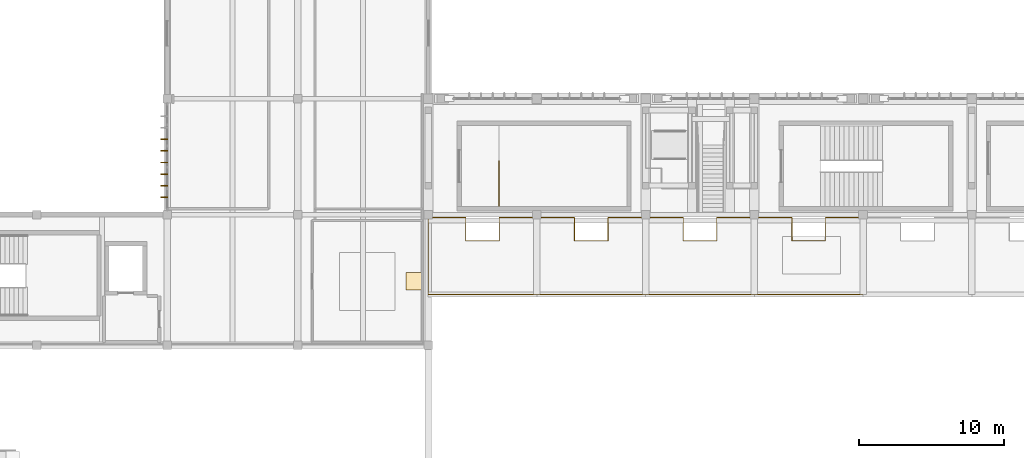
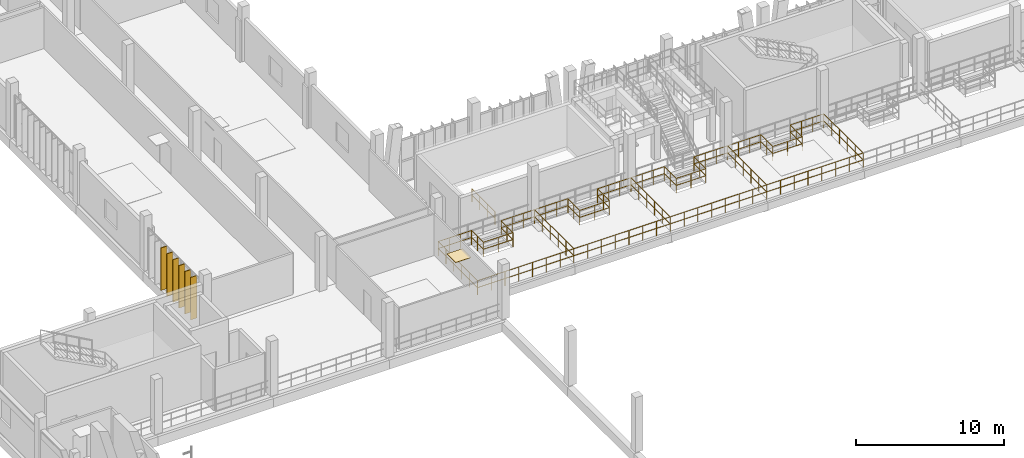
# One storey, part 67 of 81: 6 shading devices, 5 railings, 1 covering.
"""IFC4 building model written with IfcOpenShell, lengths in metres."""

from ifc_helpers import new_model, si_unit, direction, frame, origin, origin_2d, place, context, subcontext, project, spatial, rectangle, circle, extrude, material, layer, layer_set, material_profile, profile_set, type_object, element, save


model = new_model("IFC4")

# Units and contexts
model_context = context("Model", 3, precision=1e-05, world=origin(), true_north=direction((0.0, 1.0)))
body_context = subcontext(model_context, "Body", "Model", "MODEL_VIEW")
ifc_project = project(units=[si_unit("LENGTHUNIT", "METRE"), si_unit("AREAUNIT", "SQUARE_METRE"), si_unit("VOLUMEUNIT", "CUBIC_METRE"), si_unit("PLANEANGLEUNIT", "RADIAN"), si_unit("MASSUNIT", "GRAM", prefix="KILO")], contexts=[model_context])

# Site, building, storey
site_placement = place(None, origin())
site = spatial("IfcSite", under=ifc_project, at=site_placement, CompositionType="ELEMENT")
building_placement = place(site_placement, origin())
building = spatial("IfcBuilding", under=site, at=building_placement, Name="Vourika Railside Aquatics Centre", CompositionType="ELEMENT")
storey_placement = place(building_placement, frame((0.0, 0.0, 4.800048828125)))
storey = spatial("IfcBuildingStorey", under=building, at=storey_placement, Name="L01", CompositionType="ELEMENT", Elevation=4.800048828125)

# Covering
ifc_material_1 = material(Name="Perforated moisture-resistant acoustic gypsum ceiling")
ifc_layer = layer(ifc_material_1, 0.02490234375, Name="COV-CEIL-25")
ifc_layer_set = layer_set([ifc_layer], Name="Perforated moisture-resistant acoustic gypsum ceiling")
covering_type = type_object("IfcCoveringType", Name="COV-CEIL-25", PredefinedType="CEILING", material=ifc_layer_set)
covering_placement = place(storey_placement, frame((35.080078125, 53.39990234375, 2.637451171875), z_axis=(0.0, 0.0, 1.0), x_axis=(1.0, 0.0, 0.0)))
element("IfcCovering", 1, at=covering_placement, inside=storey, type_object=covering_type, Name="Diving Judges and Coaching Observation Deck Acoustic Ceiling Panel", PredefinedType="CEILING", context=body_context, shape_type="SweptSolid", body=[
    extrude(rectangle(XDim=1.199951171875, YDim=1.199951171875, at=origin_2d()), origin(), (0.0, 0.0, 1.0), 0.02490234375),
])

# Railings
ifc_material_2 = material(Name="Duplex stainless steel EN 1.4462", Category="steel")
railing_type_1 = type_object("IfcRailingType", Name="RL-BAL-STD120", PredefinedType="BALUSTRADE", material=ifc_material_2)
railing_1_placement = place(storey_placement, frame((43.5, 57.800048828125, -0.35009765625)))
element("IfcRailing", 2, at=railing_1_placement, inside=storey, type_object=railing_type_1, Name="Spectator Stand Crowd Barrier (Stand Lower Tier Bay 01)", PredefinedType="BALUSTRADE", context=body_context, shape_type="SweptSolid", body=[
    extrude(circle(Radius=0.02392578125, at=origin_2d()), frame((0.0, 0.0, 1.17578125), z_axis=(0.0, -1.0, 0.0), x_axis=(1.0, 0.0, 0.0)), (0.0, 0.0, 1.0), 5.300048828125),
    extrude(circle(Radius=0.02392578125, at=origin_2d()), frame((0.0, 0.0, 0.60009765625), z_axis=(0.0, -1.0, 0.0), x_axis=(1.0, 0.0, 0.0)), (0.0, 0.0, 1.0), 5.300048828125),
    extrude(circle(Radius=0.02392578125, at=origin_2d()), frame((0.0, -5.300048828125, 1.17578125), z_axis=(-1.0, 0.0, 0.0), x_axis=(0.0, -1.0, 0.0)), (0.0, 0.0, 1.0), 7.5),
    extrude(circle(Radius=0.02392578125, at=origin_2d()), frame((0.0, -5.300048828125, 0.60009765625), z_axis=(-1.0, 0.0, 0.0), x_axis=(0.0, -1.0, 0.0)), (0.0, 0.0, 1.0), 7.5),
    extrude(circle(Radius=0.02392578125, at=origin_2d()), frame((-7.5, -5.300048828125, 1.17578125), z_axis=(0.0, 1.0, 0.0), x_axis=(-1.0, 0.0, 0.0)), (0.0, 0.0, 1.0), 5.300048828125),
    extrude(circle(Radius=0.02392578125, at=origin_2d()), frame((-7.5, -5.300048828125, 0.60009765625), z_axis=(0.0, 1.0, 0.0), x_axis=(-1.0, 0.0, 0.0)), (0.0, 0.0, 1.0), 5.300048828125),
    extrude(circle(Radius=0.02392578125, at=origin_2d()), frame((-7.5, 0.0, 1.17578125), z_axis=(1.0, 0.0, 0.0), x_axis=(0.0, 1.0, 0.0)), (0.0, 0.0, 1.0), 2.60009765625),
    extrude(circle(Radius=0.02392578125, at=origin_2d()), frame((-7.5, 0.0, 0.60009765625), z_axis=(1.0, 0.0, 0.0), x_axis=(0.0, 1.0, 0.0)), (0.0, 0.0, 1.0), 2.60009765625),
    extrude(circle(Radius=0.02392578125, at=origin_2d()), frame((-4.89990234375, 0.0, 1.17578125), z_axis=(0.0, -1.0, 0.0), x_axis=(1.0, 0.0, 0.0)), (0.0, 0.0, 1.0), 1.60009765625),
    extrude(circle(Radius=0.02392578125, at=origin_2d()), frame((-4.89990234375, 0.0, 0.60009765625), z_axis=(0.0, -1.0, 0.0), x_axis=(1.0, 0.0, 0.0)), (0.0, 0.0, 1.0), 1.60009765625),
    extrude(circle(Radius=0.02392578125, at=origin_2d()), frame((-4.89990234375, -1.60009765625, 1.17578125), z_axis=(1.0, 0.0, 0.0), x_axis=(0.0, 1.0, 0.0)), (0.0, 0.0, 1.0), 2.2998046875),
    extrude(circle(Radius=0.02392578125, at=origin_2d()), frame((-4.89990234375, -1.60009765625, 0.60009765625), z_axis=(1.0, 0.0, 0.0), x_axis=(0.0, 1.0, 0.0)), (0.0, 0.0, 1.0), 2.2998046875),
    extrude(circle(Radius=0.02392578125, at=origin_2d()), frame((-2.60009765625, -1.60009765625, 1.17578125), z_axis=(0.0, 1.0, 0.0), x_axis=(-1.0, 0.0, 0.0)), (0.0, 0.0, 1.0), 1.60009765625),
    extrude(circle(Radius=0.02392578125, at=origin_2d()), frame((-2.60009765625, -1.60009765625, 0.60009765625), z_axis=(0.0, 1.0, 0.0), x_axis=(-1.0, 0.0, 0.0)), (0.0, 0.0, 1.0), 1.60009765625),
    extrude(circle(Radius=0.02392578125, at=origin_2d()), frame((-2.60009765625, 0.0, 1.17578125), z_axis=(1.0, 0.0, 0.0), x_axis=(0.0, 1.0, 0.0)), (0.0, 0.0, 1.0), 2.60009765625),
    extrude(circle(Radius=0.02392578125, at=origin_2d()), frame((-2.60009765625, 0.0, 0.60009765625), z_axis=(1.0, 0.0, 0.0), x_axis=(0.0, 1.0, 0.0)), (0.0, 0.0, 1.0), 2.60009765625),
    extrude(circle(Radius=0.02099609375, at=origin_2d()), origin(), (0.0, 0.0, 1.0), 1.15185546875),
    extrude(circle(Radius=0.02099609375, at=origin_2d()), frame((0.0, -1.06005859375, 0.0)), (0.0, 0.0, 1.0), 1.15185546875),
    extrude(circle(Radius=0.02099609375, at=origin_2d()), frame((0.0, -2.1201171875, 0.0)), (0.0, 0.0, 1.0), 1.15185546875),
    extrude(circle(Radius=0.02099609375, at=origin_2d()), frame((0.0, -3.179931640625, 0.0)), (0.0, 0.0, 1.0), 1.15185546875),
    extrude(circle(Radius=0.02099609375, at=origin_2d()), frame((0.0, -4.239990234375, 0.0)), (0.0, 0.0, 1.0), 1.15185546875),
    extrude(circle(Radius=0.02099609375, at=origin_2d()), frame((0.0, -5.300048828125, 0.0)), (0.0, 0.0, 1.0), 1.15185546875),
    extrude(circle(Radius=0.02099609375, at=origin_2d()), frame((-1.071533203125, -5.300048828125, 0.0)), (0.0, 0.0, 1.0), 1.15185546875),
    extrude(circle(Radius=0.02099609375, at=origin_2d()), frame((-2.142822265625, -5.300048828125, 0.0)), (0.0, 0.0, 1.0), 1.15185546875),
    extrude(circle(Radius=0.02099609375, at=origin_2d()), frame((-3.21435546875, -5.300048828125, 0.0)), (0.0, 0.0, 1.0), 1.15185546875),
    extrude(circle(Radius=0.02099609375, at=origin_2d()), frame((-4.28564453125, -5.300048828125, 0.0)), (0.0, 0.0, 1.0), 1.15185546875),
    extrude(circle(Radius=0.02099609375, at=origin_2d()), frame((-5.357177734375, -5.300048828125, 0.0)), (0.0, 0.0, 1.0), 1.15185546875),
    extrude(circle(Radius=0.02099609375, at=origin_2d()), frame((-6.428466796875, -5.300048828125, 0.0)), (0.0, 0.0, 1.0), 1.15185546875),
    extrude(circle(Radius=0.02099609375, at=origin_2d()), frame((-7.5, -5.300048828125, 0.0)), (0.0, 0.0, 1.0), 1.15185546875),
    extrude(circle(Radius=0.02099609375, at=origin_2d()), frame((-7.5, -4.239990234375, 0.0)), (0.0, 0.0, 1.0), 1.15185546875),
    extrude(circle(Radius=0.02099609375, at=origin_2d()), frame((-7.5, -3.179931640625, 0.0)), (0.0, 0.0, 1.0), 1.15185546875),
    extrude(circle(Radius=0.02099609375, at=origin_2d()), frame((-7.5, -2.1201171875, 0.0)), (0.0, 0.0, 1.0), 1.15185546875),
    extrude(circle(Radius=0.02099609375, at=origin_2d()), frame((-7.5, -1.06005859375, 0.0)), (0.0, 0.0, 1.0), 1.15185546875),
    extrude(circle(Radius=0.02099609375, at=origin_2d()), frame((-7.5, 0.0, 0.0)), (0.0, 0.0, 1.0), 1.15185546875),
    extrude(circle(Radius=0.02099609375, at=origin_2d()), frame((-6.63330078125, 0.0, 0.0)), (0.0, 0.0, 1.0), 1.15185546875),
    extrude(circle(Radius=0.02099609375, at=origin_2d()), frame((-5.7666015625, 0.0, 0.0)), (0.0, 0.0, 1.0), 1.15185546875),
    extrude(circle(Radius=0.02099609375, at=origin_2d()), frame((-4.89990234375, 0.0, 0.0)), (0.0, 0.0, 1.0), 1.15185546875),
    extrude(circle(Radius=0.02099609375, at=origin_2d()), frame((-4.89990234375, -0.800048828125, 0.0)), (0.0, 0.0, 1.0), 1.15185546875),
    extrude(circle(Radius=0.02099609375, at=origin_2d()), frame((-4.89990234375, -1.60009765625, 0.0)), (0.0, 0.0, 1.0), 1.15185546875),
    extrude(circle(Radius=0.02099609375, at=origin_2d()), frame((-3.75, -1.60009765625, 0.0)), (0.0, 0.0, 1.0), 1.15185546875),
    extrude(circle(Radius=0.02099609375, at=origin_2d()), frame((-2.60009765625, -1.60009765625, 0.0)), (0.0, 0.0, 1.0), 1.15185546875),
    extrude(circle(Radius=0.02099609375, at=origin_2d()), frame((-2.60009765625, -0.800048828125, 0.0)), (0.0, 0.0, 1.0), 1.15185546875),
    extrude(circle(Radius=0.02099609375, at=origin_2d()), frame((-2.60009765625, 0.0, 0.0)), (0.0, 0.0, 1.0), 1.15185546875),
    extrude(circle(Radius=0.02099609375, at=origin_2d()), frame((-1.7333984375, 0.0, 0.0)), (0.0, 0.0, 1.0), 1.15185546875),
    extrude(circle(Radius=0.02099609375, at=origin_2d()), frame((-0.86669921875, 0.0, 0.0)), (0.0, 0.0, 1.0), 1.15185546875),
])
railing_2_placement = place(storey_placement, frame((51.0, 57.800048828125, -0.35009765625)))
element("IfcRailing", 3, at=railing_2_placement, inside=storey, type_object=railing_type_1, Name="Spectator Stand Crowd Barrier (Stand Lower Tier Bay 02)", PredefinedType="BALUSTRADE", context=body_context, shape_type="SweptSolid", body=[
    extrude(circle(Radius=0.02392578125, at=origin_2d()), frame((0.0, 0.0, 1.17578125), z_axis=(0.0, -1.0, 0.0), x_axis=(1.0, 0.0, 0.0)), (0.0, 0.0, 1.0), 5.300048828125),
    extrude(circle(Radius=0.02392578125, at=origin_2d()), frame((0.0, 0.0, 0.60009765625), z_axis=(0.0, -1.0, 0.0), x_axis=(1.0, 0.0, 0.0)), (0.0, 0.0, 1.0), 5.300048828125),
    extrude(circle(Radius=0.02392578125, at=origin_2d()), frame((0.0, -5.300048828125, 1.17578125), z_axis=(-1.0, 0.0, 0.0), x_axis=(0.0, -1.0, 0.0)), (0.0, 0.0, 1.0), 7.5),
    extrude(circle(Radius=0.02392578125, at=origin_2d()), frame((0.0, -5.300048828125, 0.60009765625), z_axis=(-1.0, 0.0, 0.0), x_axis=(0.0, -1.0, 0.0)), (0.0, 0.0, 1.0), 7.5),
    extrude(circle(Radius=0.02392578125, at=origin_2d()), frame((-7.5, -5.300048828125, 1.17578125), z_axis=(0.0, 1.0, 0.0), x_axis=(-1.0, 0.0, 0.0)), (0.0, 0.0, 1.0), 5.300048828125),
    extrude(circle(Radius=0.02392578125, at=origin_2d()), frame((-7.5, -5.300048828125, 0.60009765625), z_axis=(0.0, 1.0, 0.0), x_axis=(-1.0, 0.0, 0.0)), (0.0, 0.0, 1.0), 5.300048828125),
    extrude(circle(Radius=0.02392578125, at=origin_2d()), frame((-7.5, 0.0, 1.17578125), z_axis=(1.0, 0.0, 0.0), x_axis=(0.0, 1.0, 0.0)), (0.0, 0.0, 1.0), 2.60009765625),
    extrude(circle(Radius=0.02392578125, at=origin_2d()), frame((-7.5, 0.0, 0.60009765625), z_axis=(1.0, 0.0, 0.0), x_axis=(0.0, 1.0, 0.0)), (0.0, 0.0, 1.0), 2.60009765625),
    extrude(circle(Radius=0.02392578125, at=origin_2d()), frame((-4.89990234375, 0.0, 1.17578125), z_axis=(0.0, -1.0, 0.0), x_axis=(1.0, 0.0, 0.0)), (0.0, 0.0, 1.0), 1.60009765625),
    extrude(circle(Radius=0.02392578125, at=origin_2d()), frame((-4.89990234375, 0.0, 0.60009765625), z_axis=(0.0, -1.0, 0.0), x_axis=(1.0, 0.0, 0.0)), (0.0, 0.0, 1.0), 1.60009765625),
    extrude(circle(Radius=0.02392578125, at=origin_2d()), frame((-4.89990234375, -1.60009765625, 1.17578125), z_axis=(1.0, 0.0, 0.0), x_axis=(0.0, 1.0, 0.0)), (0.0, 0.0, 1.0), 2.2998046875),
    extrude(circle(Radius=0.02392578125, at=origin_2d()), frame((-4.89990234375, -1.60009765625, 0.60009765625), z_axis=(1.0, 0.0, 0.0), x_axis=(0.0, 1.0, 0.0)), (0.0, 0.0, 1.0), 2.2998046875),
    extrude(circle(Radius=0.02392578125, at=origin_2d()), frame((-2.60009765625, -1.60009765625, 1.17578125), z_axis=(0.0, 1.0, 0.0), x_axis=(-1.0, 0.0, 0.0)), (0.0, 0.0, 1.0), 1.60009765625),
    extrude(circle(Radius=0.02392578125, at=origin_2d()), frame((-2.60009765625, -1.60009765625, 0.60009765625), z_axis=(0.0, 1.0, 0.0), x_axis=(-1.0, 0.0, 0.0)), (0.0, 0.0, 1.0), 1.60009765625),
    extrude(circle(Radius=0.02392578125, at=origin_2d()), frame((-2.60009765625, 0.0, 1.17578125), z_axis=(1.0, 0.0, 0.0), x_axis=(0.0, 1.0, 0.0)), (0.0, 0.0, 1.0), 2.60009765625),
    extrude(circle(Radius=0.02392578125, at=origin_2d()), frame((-2.60009765625, 0.0, 0.60009765625), z_axis=(1.0, 0.0, 0.0), x_axis=(0.0, 1.0, 0.0)), (0.0, 0.0, 1.0), 2.60009765625),
    extrude(circle(Radius=0.02099609375, at=origin_2d()), origin(), (0.0, 0.0, 1.0), 1.15185546875),
    extrude(circle(Radius=0.02099609375, at=origin_2d()), frame((0.0, -1.06005859375, 0.0)), (0.0, 0.0, 1.0), 1.15185546875),
    extrude(circle(Radius=0.02099609375, at=origin_2d()), frame((0.0, -2.1201171875, 0.0)), (0.0, 0.0, 1.0), 1.15185546875),
    extrude(circle(Radius=0.02099609375, at=origin_2d()), frame((0.0, -3.179931640625, 0.0)), (0.0, 0.0, 1.0), 1.15185546875),
    extrude(circle(Radius=0.02099609375, at=origin_2d()), frame((0.0, -4.239990234375, 0.0)), (0.0, 0.0, 1.0), 1.15185546875),
    extrude(circle(Radius=0.02099609375, at=origin_2d()), frame((0.0, -5.300048828125, 0.0)), (0.0, 0.0, 1.0), 1.15185546875),
    extrude(circle(Radius=0.02099609375, at=origin_2d()), frame((-1.071533203125, -5.300048828125, 0.0)), (0.0, 0.0, 1.0), 1.15185546875),
    extrude(circle(Radius=0.02099609375, at=origin_2d()), frame((-2.142822265625, -5.300048828125, 0.0)), (0.0, 0.0, 1.0), 1.15185546875),
    extrude(circle(Radius=0.02099609375, at=origin_2d()), frame((-3.21435546875, -5.300048828125, 0.0)), (0.0, 0.0, 1.0), 1.15185546875),
    extrude(circle(Radius=0.02099609375, at=origin_2d()), frame((-4.28564453125, -5.300048828125, 0.0)), (0.0, 0.0, 1.0), 1.15185546875),
    extrude(circle(Radius=0.02099609375, at=origin_2d()), frame((-5.357177734375, -5.300048828125, 0.0)), (0.0, 0.0, 1.0), 1.15185546875),
    extrude(circle(Radius=0.02099609375, at=origin_2d()), frame((-6.428466796875, -5.300048828125, 0.0)), (0.0, 0.0, 1.0), 1.15185546875),
    extrude(circle(Radius=0.02099609375, at=origin_2d()), frame((-7.5, -5.300048828125, 0.0)), (0.0, 0.0, 1.0), 1.15185546875),
    extrude(circle(Radius=0.02099609375, at=origin_2d()), frame((-7.5, -4.239990234375, 0.0)), (0.0, 0.0, 1.0), 1.15185546875),
    extrude(circle(Radius=0.02099609375, at=origin_2d()), frame((-7.5, -3.179931640625, 0.0)), (0.0, 0.0, 1.0), 1.15185546875),
    extrude(circle(Radius=0.02099609375, at=origin_2d()), frame((-7.5, -2.1201171875, 0.0)), (0.0, 0.0, 1.0), 1.15185546875),
    extrude(circle(Radius=0.02099609375, at=origin_2d()), frame((-7.5, -1.06005859375, 0.0)), (0.0, 0.0, 1.0), 1.15185546875),
    extrude(circle(Radius=0.02099609375, at=origin_2d()), frame((-7.5, 0.0, 0.0)), (0.0, 0.0, 1.0), 1.15185546875),
    extrude(circle(Radius=0.02099609375, at=origin_2d()), frame((-6.63330078125, 0.0, 0.0)), (0.0, 0.0, 1.0), 1.15185546875),
    extrude(circle(Radius=0.02099609375, at=origin_2d()), frame((-5.7666015625, 0.0, 0.0)), (0.0, 0.0, 1.0), 1.15185546875),
    extrude(circle(Radius=0.02099609375, at=origin_2d()), frame((-4.89990234375, 0.0, 0.0)), (0.0, 0.0, 1.0), 1.15185546875),
    extrude(circle(Radius=0.02099609375, at=origin_2d()), frame((-4.89990234375, -0.800048828125, 0.0)), (0.0, 0.0, 1.0), 1.15185546875),
    extrude(circle(Radius=0.02099609375, at=origin_2d()), frame((-4.89990234375, -1.60009765625, 0.0)), (0.0, 0.0, 1.0), 1.15185546875),
    extrude(circle(Radius=0.02099609375, at=origin_2d()), frame((-3.75, -1.60009765625, 0.0)), (0.0, 0.0, 1.0), 1.15185546875),
    extrude(circle(Radius=0.02099609375, at=origin_2d()), frame((-2.60009765625, -1.60009765625, 0.0)), (0.0, 0.0, 1.0), 1.15185546875),
    extrude(circle(Radius=0.02099609375, at=origin_2d()), frame((-2.60009765625, -0.800048828125, 0.0)), (0.0, 0.0, 1.0), 1.15185546875),
    extrude(circle(Radius=0.02099609375, at=origin_2d()), frame((-2.60009765625, 0.0, 0.0)), (0.0, 0.0, 1.0), 1.15185546875),
    extrude(circle(Radius=0.02099609375, at=origin_2d()), frame((-1.7333984375, 0.0, 0.0)), (0.0, 0.0, 1.0), 1.15185546875),
    extrude(circle(Radius=0.02099609375, at=origin_2d()), frame((-0.86669921875, 0.0, 0.0)), (0.0, 0.0, 1.0), 1.15185546875),
])
railing_3_placement = place(storey_placement, frame((58.5, 57.800048828125, -0.35009765625)))
element("IfcRailing", 4, at=railing_3_placement, inside=storey, type_object=railing_type_1, Name="Spectator Stand Crowd Barrier (Stand Lower Tier Bay 03)", PredefinedType="BALUSTRADE", context=body_context, shape_type="SweptSolid", body=[
    extrude(circle(Radius=0.02392578125, at=origin_2d()), frame((0.0, 0.0, 1.17578125), z_axis=(0.0, -1.0, 0.0), x_axis=(1.0, 0.0, 0.0)), (0.0, 0.0, 1.0), 5.300048828125),
    extrude(circle(Radius=0.02392578125, at=origin_2d()), frame((0.0, 0.0, 0.60009765625), z_axis=(0.0, -1.0, 0.0), x_axis=(1.0, 0.0, 0.0)), (0.0, 0.0, 1.0), 5.300048828125),
    extrude(circle(Radius=0.02392578125, at=origin_2d()), frame((0.0, -5.300048828125, 1.17578125), z_axis=(-1.0, 0.0, 0.0), x_axis=(0.0, -1.0, 0.0)), (0.0, 0.0, 1.0), 7.5),
    extrude(circle(Radius=0.02392578125, at=origin_2d()), frame((0.0, -5.300048828125, 0.60009765625), z_axis=(-1.0, 0.0, 0.0), x_axis=(0.0, -1.0, 0.0)), (0.0, 0.0, 1.0), 7.5),
    extrude(circle(Radius=0.02392578125, at=origin_2d()), frame((-7.5, -5.300048828125, 1.17578125), z_axis=(0.0, 1.0, 0.0), x_axis=(-1.0, 0.0, 0.0)), (0.0, 0.0, 1.0), 5.300048828125),
    extrude(circle(Radius=0.02392578125, at=origin_2d()), frame((-7.5, -5.300048828125, 0.60009765625), z_axis=(0.0, 1.0, 0.0), x_axis=(-1.0, 0.0, 0.0)), (0.0, 0.0, 1.0), 5.300048828125),
    extrude(circle(Radius=0.02392578125, at=origin_2d()), frame((-7.5, 0.0, 1.17578125), z_axis=(1.0, 0.0, 0.0), x_axis=(0.0, 1.0, 0.0)), (0.0, 0.0, 1.0), 2.60009765625),
    extrude(circle(Radius=0.02392578125, at=origin_2d()), frame((-7.5, 0.0, 0.60009765625), z_axis=(1.0, 0.0, 0.0), x_axis=(0.0, 1.0, 0.0)), (0.0, 0.0, 1.0), 2.60009765625),
    extrude(circle(Radius=0.02392578125, at=origin_2d()), frame((-4.89990234375, 0.0, 1.17578125), z_axis=(0.0, -1.0, 0.0), x_axis=(1.0, 0.0, 0.0)), (0.0, 0.0, 1.0), 1.60009765625),
    extrude(circle(Radius=0.02392578125, at=origin_2d()), frame((-4.89990234375, 0.0, 0.60009765625), z_axis=(0.0, -1.0, 0.0), x_axis=(1.0, 0.0, 0.0)), (0.0, 0.0, 1.0), 1.60009765625),
    extrude(circle(Radius=0.02392578125, at=origin_2d()), frame((-4.89990234375, -1.60009765625, 1.17578125), z_axis=(1.0, 0.0, 0.0), x_axis=(0.0, 1.0, 0.0)), (0.0, 0.0, 1.0), 2.2998046875),
    extrude(circle(Radius=0.02392578125, at=origin_2d()), frame((-4.89990234375, -1.60009765625, 0.60009765625), z_axis=(1.0, 0.0, 0.0), x_axis=(0.0, 1.0, 0.0)), (0.0, 0.0, 1.0), 2.2998046875),
    extrude(circle(Radius=0.02392578125, at=origin_2d()), frame((-2.60009765625, -1.60009765625, 1.17578125), z_axis=(0.0, 1.0, 0.0), x_axis=(-1.0, 0.0, 0.0)), (0.0, 0.0, 1.0), 1.60009765625),
    extrude(circle(Radius=0.02392578125, at=origin_2d()), frame((-2.60009765625, -1.60009765625, 0.60009765625), z_axis=(0.0, 1.0, 0.0), x_axis=(-1.0, 0.0, 0.0)), (0.0, 0.0, 1.0), 1.60009765625),
    extrude(circle(Radius=0.02392578125, at=origin_2d()), frame((-2.60009765625, 0.0, 1.17578125), z_axis=(1.0, 0.0, 0.0), x_axis=(0.0, 1.0, 0.0)), (0.0, 0.0, 1.0), 2.60009765625),
    extrude(circle(Radius=0.02392578125, at=origin_2d()), frame((-2.60009765625, 0.0, 0.60009765625), z_axis=(1.0, 0.0, 0.0), x_axis=(0.0, 1.0, 0.0)), (0.0, 0.0, 1.0), 2.60009765625),
    extrude(circle(Radius=0.02099609375, at=origin_2d()), origin(), (0.0, 0.0, 1.0), 1.15185546875),
    extrude(circle(Radius=0.02099609375, at=origin_2d()), frame((0.0, -1.06005859375, 0.0)), (0.0, 0.0, 1.0), 1.15185546875),
    extrude(circle(Radius=0.02099609375, at=origin_2d()), frame((0.0, -2.1201171875, 0.0)), (0.0, 0.0, 1.0), 1.15185546875),
    extrude(circle(Radius=0.02099609375, at=origin_2d()), frame((0.0, -3.179931640625, 0.0)), (0.0, 0.0, 1.0), 1.15185546875),
    extrude(circle(Radius=0.02099609375, at=origin_2d()), frame((0.0, -4.239990234375, 0.0)), (0.0, 0.0, 1.0), 1.15185546875),
    extrude(circle(Radius=0.02099609375, at=origin_2d()), frame((0.0, -5.300048828125, 0.0)), (0.0, 0.0, 1.0), 1.15185546875),
    extrude(circle(Radius=0.02099609375, at=origin_2d()), frame((-1.071533203125, -5.300048828125, 0.0)), (0.0, 0.0, 1.0), 1.15185546875),
    extrude(circle(Radius=0.02099609375, at=origin_2d()), frame((-2.142822265625, -5.300048828125, 0.0)), (0.0, 0.0, 1.0), 1.15185546875),
    extrude(circle(Radius=0.02099609375, at=origin_2d()), frame((-3.21435546875, -5.300048828125, 0.0)), (0.0, 0.0, 1.0), 1.15185546875),
    extrude(circle(Radius=0.02099609375, at=origin_2d()), frame((-4.28564453125, -5.300048828125, 0.0)), (0.0, 0.0, 1.0), 1.15185546875),
    extrude(circle(Radius=0.02099609375, at=origin_2d()), frame((-5.357177734375, -5.300048828125, 0.0)), (0.0, 0.0, 1.0), 1.15185546875),
    extrude(circle(Radius=0.02099609375, at=origin_2d()), frame((-6.428466796875, -5.300048828125, 0.0)), (0.0, 0.0, 1.0), 1.15185546875),
    extrude(circle(Radius=0.02099609375, at=origin_2d()), frame((-7.5, -5.300048828125, 0.0)), (0.0, 0.0, 1.0), 1.15185546875),
    extrude(circle(Radius=0.02099609375, at=origin_2d()), frame((-7.5, -4.239990234375, 0.0)), (0.0, 0.0, 1.0), 1.15185546875),
    extrude(circle(Radius=0.02099609375, at=origin_2d()), frame((-7.5, -3.179931640625, 0.0)), (0.0, 0.0, 1.0), 1.15185546875),
    extrude(circle(Radius=0.02099609375, at=origin_2d()), frame((-7.5, -2.1201171875, 0.0)), (0.0, 0.0, 1.0), 1.15185546875),
    extrude(circle(Radius=0.02099609375, at=origin_2d()), frame((-7.5, -1.06005859375, 0.0)), (0.0, 0.0, 1.0), 1.15185546875),
    extrude(circle(Radius=0.02099609375, at=origin_2d()), frame((-7.5, 0.0, 0.0)), (0.0, 0.0, 1.0), 1.15185546875),
    extrude(circle(Radius=0.02099609375, at=origin_2d()), frame((-6.63330078125, 0.0, 0.0)), (0.0, 0.0, 1.0), 1.15185546875),
    extrude(circle(Radius=0.02099609375, at=origin_2d()), frame((-5.7666015625, 0.0, 0.0)), (0.0, 0.0, 1.0), 1.15185546875),
    extrude(circle(Radius=0.02099609375, at=origin_2d()), frame((-4.89990234375, 0.0, 0.0)), (0.0, 0.0, 1.0), 1.15185546875),
    extrude(circle(Radius=0.02099609375, at=origin_2d()), frame((-4.89990234375, -0.800048828125, 0.0)), (0.0, 0.0, 1.0), 1.15185546875),
    extrude(circle(Radius=0.02099609375, at=origin_2d()), frame((-4.89990234375, -1.60009765625, 0.0)), (0.0, 0.0, 1.0), 1.15185546875),
    extrude(circle(Radius=0.02099609375, at=origin_2d()), frame((-3.75, -1.60009765625, 0.0)), (0.0, 0.0, 1.0), 1.15185546875),
    extrude(circle(Radius=0.02099609375, at=origin_2d()), frame((-2.60009765625, -1.60009765625, 0.0)), (0.0, 0.0, 1.0), 1.15185546875),
    extrude(circle(Radius=0.02099609375, at=origin_2d()), frame((-2.60009765625, -0.800048828125, 0.0)), (0.0, 0.0, 1.0), 1.15185546875),
    extrude(circle(Radius=0.02099609375, at=origin_2d()), frame((-2.60009765625, 0.0, 0.0)), (0.0, 0.0, 1.0), 1.15185546875),
    extrude(circle(Radius=0.02099609375, at=origin_2d()), frame((-1.7333984375, 0.0, 0.0)), (0.0, 0.0, 1.0), 1.15185546875),
    extrude(circle(Radius=0.02099609375, at=origin_2d()), frame((-0.86669921875, 0.0, 0.0)), (0.0, 0.0, 1.0), 1.15185546875),
])
railing_4_placement = place(storey_placement, frame((66.0, 57.800048828125, -0.35009765625)))
element("IfcRailing", 5, at=railing_4_placement, inside=storey, type_object=railing_type_1, Name="Spectator Stand Crowd Barrier (Stand Lower Tier Bay 04)", PredefinedType="BALUSTRADE", context=body_context, shape_type="SweptSolid", body=[
    extrude(circle(Radius=0.02392578125, at=origin_2d()), frame((0.0, 0.0, 1.17578125), z_axis=(0.0, -1.0, 0.0), x_axis=(1.0, 0.0, 0.0)), (0.0, 0.0, 1.0), 5.300048828125),
    extrude(circle(Radius=0.02392578125, at=origin_2d()), frame((0.0, 0.0, 0.60009765625), z_axis=(0.0, -1.0, 0.0), x_axis=(1.0, 0.0, 0.0)), (0.0, 0.0, 1.0), 5.300048828125),
    extrude(circle(Radius=0.02392578125, at=origin_2d()), frame((0.0, -5.300048828125, 1.17578125), z_axis=(-1.0, 0.0, 0.0), x_axis=(0.0, -1.0, 0.0)), (0.0, 0.0, 1.0), 7.5),
    extrude(circle(Radius=0.02392578125, at=origin_2d()), frame((0.0, -5.300048828125, 0.60009765625), z_axis=(-1.0, 0.0, 0.0), x_axis=(0.0, -1.0, 0.0)), (0.0, 0.0, 1.0), 7.5),
    extrude(circle(Radius=0.02392578125, at=origin_2d()), frame((-7.5, -5.300048828125, 1.17578125), z_axis=(0.0, 1.0, 0.0), x_axis=(-1.0, 0.0, 0.0)), (0.0, 0.0, 1.0), 5.300048828125),
    extrude(circle(Radius=0.02392578125, at=origin_2d()), frame((-7.5, -5.300048828125, 0.60009765625), z_axis=(0.0, 1.0, 0.0), x_axis=(-1.0, 0.0, 0.0)), (0.0, 0.0, 1.0), 5.300048828125),
    extrude(circle(Radius=0.02392578125, at=origin_2d()), frame((-7.5, 0.0, 1.17578125), z_axis=(1.0, 0.0, 0.0), x_axis=(0.0, 1.0, 0.0)), (0.0, 0.0, 1.0), 2.60009765625),
    extrude(circle(Radius=0.02392578125, at=origin_2d()), frame((-7.5, 0.0, 0.60009765625), z_axis=(1.0, 0.0, 0.0), x_axis=(0.0, 1.0, 0.0)), (0.0, 0.0, 1.0), 2.60009765625),
    extrude(circle(Radius=0.02392578125, at=origin_2d()), frame((-4.89990234375, 0.0, 1.17578125), z_axis=(0.0, -1.0, 0.0), x_axis=(1.0, 0.0, 0.0)), (0.0, 0.0, 1.0), 1.60009765625),
    extrude(circle(Radius=0.02392578125, at=origin_2d()), frame((-4.89990234375, 0.0, 0.60009765625), z_axis=(0.0, -1.0, 0.0), x_axis=(1.0, 0.0, 0.0)), (0.0, 0.0, 1.0), 1.60009765625),
    extrude(circle(Radius=0.02392578125, at=origin_2d()), frame((-4.89990234375, -1.60009765625, 1.17578125), z_axis=(1.0, 0.0, 0.0), x_axis=(0.0, 1.0, 0.0)), (0.0, 0.0, 1.0), 2.2998046875),
    extrude(circle(Radius=0.02392578125, at=origin_2d()), frame((-4.89990234375, -1.60009765625, 0.60009765625), z_axis=(1.0, 0.0, 0.0), x_axis=(0.0, 1.0, 0.0)), (0.0, 0.0, 1.0), 2.2998046875),
    extrude(circle(Radius=0.02392578125, at=origin_2d()), frame((-2.60009765625, -1.60009765625, 1.17578125), z_axis=(0.0, 1.0, 0.0), x_axis=(-1.0, 0.0, 0.0)), (0.0, 0.0, 1.0), 1.60009765625),
    extrude(circle(Radius=0.02392578125, at=origin_2d()), frame((-2.60009765625, -1.60009765625, 0.60009765625), z_axis=(0.0, 1.0, 0.0), x_axis=(-1.0, 0.0, 0.0)), (0.0, 0.0, 1.0), 1.60009765625),
    extrude(circle(Radius=0.02392578125, at=origin_2d()), frame((-2.60009765625, 0.0, 1.17578125), z_axis=(1.0, 0.0, 0.0), x_axis=(0.0, 1.0, 0.0)), (0.0, 0.0, 1.0), 2.60009765625),
    extrude(circle(Radius=0.02392578125, at=origin_2d()), frame((-2.60009765625, 0.0, 0.60009765625), z_axis=(1.0, 0.0, 0.0), x_axis=(0.0, 1.0, 0.0)), (0.0, 0.0, 1.0), 2.60009765625),
    extrude(circle(Radius=0.02099609375, at=origin_2d()), origin(), (0.0, 0.0, 1.0), 1.15185546875),
    extrude(circle(Radius=0.02099609375, at=origin_2d()), frame((0.0, -1.06005859375, 0.0)), (0.0, 0.0, 1.0), 1.15185546875),
    extrude(circle(Radius=0.02099609375, at=origin_2d()), frame((0.0, -2.1201171875, 0.0)), (0.0, 0.0, 1.0), 1.15185546875),
    extrude(circle(Radius=0.02099609375, at=origin_2d()), frame((0.0, -3.179931640625, 0.0)), (0.0, 0.0, 1.0), 1.15185546875),
    extrude(circle(Radius=0.02099609375, at=origin_2d()), frame((0.0, -4.239990234375, 0.0)), (0.0, 0.0, 1.0), 1.15185546875),
    extrude(circle(Radius=0.02099609375, at=origin_2d()), frame((0.0, -5.300048828125, 0.0)), (0.0, 0.0, 1.0), 1.15185546875),
    extrude(circle(Radius=0.02099609375, at=origin_2d()), frame((-1.071533203125, -5.300048828125, 0.0)), (0.0, 0.0, 1.0), 1.15185546875),
    extrude(circle(Radius=0.02099609375, at=origin_2d()), frame((-2.142822265625, -5.300048828125, 0.0)), (0.0, 0.0, 1.0), 1.15185546875),
    extrude(circle(Radius=0.02099609375, at=origin_2d()), frame((-3.21435546875, -5.300048828125, 0.0)), (0.0, 0.0, 1.0), 1.15185546875),
    extrude(circle(Radius=0.02099609375, at=origin_2d()), frame((-4.28564453125, -5.300048828125, 0.0)), (0.0, 0.0, 1.0), 1.15185546875),
    extrude(circle(Radius=0.02099609375, at=origin_2d()), frame((-5.357177734375, -5.300048828125, 0.0)), (0.0, 0.0, 1.0), 1.15185546875),
    extrude(circle(Radius=0.02099609375, at=origin_2d()), frame((-6.428466796875, -5.300048828125, 0.0)), (0.0, 0.0, 1.0), 1.15185546875),
    extrude(circle(Radius=0.02099609375, at=origin_2d()), frame((-7.5, -5.300048828125, 0.0)), (0.0, 0.0, 1.0), 1.15185546875),
    extrude(circle(Radius=0.02099609375, at=origin_2d()), frame((-7.5, -4.239990234375, 0.0)), (0.0, 0.0, 1.0), 1.15185546875),
    extrude(circle(Radius=0.02099609375, at=origin_2d()), frame((-7.5, -3.179931640625, 0.0)), (0.0, 0.0, 1.0), 1.15185546875),
    extrude(circle(Radius=0.02099609375, at=origin_2d()), frame((-7.5, -2.1201171875, 0.0)), (0.0, 0.0, 1.0), 1.15185546875),
    extrude(circle(Radius=0.02099609375, at=origin_2d()), frame((-7.5, -1.06005859375, 0.0)), (0.0, 0.0, 1.0), 1.15185546875),
    extrude(circle(Radius=0.02099609375, at=origin_2d()), frame((-7.5, 0.0, 0.0)), (0.0, 0.0, 1.0), 1.15185546875),
    extrude(circle(Radius=0.02099609375, at=origin_2d()), frame((-6.63330078125, 0.0, 0.0)), (0.0, 0.0, 1.0), 1.15185546875),
    extrude(circle(Radius=0.02099609375, at=origin_2d()), frame((-5.7666015625, 0.0, 0.0)), (0.0, 0.0, 1.0), 1.15185546875),
    extrude(circle(Radius=0.02099609375, at=origin_2d()), frame((-4.89990234375, 0.0, 0.0)), (0.0, 0.0, 1.0), 1.15185546875),
    extrude(circle(Radius=0.02099609375, at=origin_2d()), frame((-4.89990234375, -0.800048828125, 0.0)), (0.0, 0.0, 1.0), 1.15185546875),
    extrude(circle(Radius=0.02099609375, at=origin_2d()), frame((-4.89990234375, -1.60009765625, 0.0)), (0.0, 0.0, 1.0), 1.15185546875),
    extrude(circle(Radius=0.02099609375, at=origin_2d()), frame((-3.75, -1.60009765625, 0.0)), (0.0, 0.0, 1.0), 1.15185546875),
    extrude(circle(Radius=0.02099609375, at=origin_2d()), frame((-2.60009765625, -1.60009765625, 0.0)), (0.0, 0.0, 1.0), 1.15185546875),
    extrude(circle(Radius=0.02099609375, at=origin_2d()), frame((-2.60009765625, -0.800048828125, 0.0)), (0.0, 0.0, 1.0), 1.15185546875),
    extrude(circle(Radius=0.02099609375, at=origin_2d()), frame((-2.60009765625, 0.0, 0.0)), (0.0, 0.0, 1.0), 1.15185546875),
    extrude(circle(Radius=0.02099609375, at=origin_2d()), frame((-1.7333984375, 0.0, 0.0)), (0.0, 0.0, 1.0), 1.15185546875),
    extrude(circle(Radius=0.02099609375, at=origin_2d()), frame((-0.86669921875, 0.0, 0.0)), (0.0, 0.0, 1.0), 1.15185546875),
])
railing_type_2 = type_object("IfcRailingType", Name="RL-STAIR-1120", PredefinedType="BALUSTRADE", material=ifc_material_2)
railing_5_placement = place(storey_placement, frame((40.889892578125, 58.60009765625, 0.0)))
element("IfcRailing", 6, at=railing_5_placement, inside=storey, type_object=railing_type_2, Name="Grandstand Vomitory Exit Stair ST07 L01 Well Edge Guard", PredefinedType="BALUSTRADE", context=body_context, shape_type="SweptSolid", body=[
    extrude(circle(Radius=0.02392578125, at=origin_2d()), frame((0.0, 0.0, 1.09619140625), z_axis=(0.0, 1.0, 0.0), x_axis=(-1.0, 0.0, 0.0)), (0.0, 0.0, 1.0), 3.099853515625),
    extrude(circle(Radius=0.02392578125, at=origin_2d()), frame((0.0, 0.0, 0.56005859375), z_axis=(0.0, 1.0, 0.0), x_axis=(-1.0, 0.0, 0.0)), (0.0, 0.0, 1.0), 3.099853515625),
    extrude(circle(Radius=0.02099609375, at=origin_2d()), origin(), (0.0, 0.0, 1.0), 1.072021484375),
    extrude(circle(Radius=0.02099609375, at=origin_2d()), frame((0.0, 1.033203125, 0.0)), (0.0, 0.0, 1.0), 1.072021484375),
    extrude(circle(Radius=0.02099609375, at=origin_2d()), frame((0.0, 2.066650390625, 0.0)), (0.0, 0.0, 1.0), 1.072021484375),
    extrude(circle(Radius=0.02099609375, at=origin_2d()), frame((0.0, 3.099853515625, 0.0)), (0.0, 0.0, 1.0), 1.072021484375),
])

# Shading devices
ifc_material_3 = material(Name="Bronze-anodized extruded aluminium", Category="aluminium")
ifc_material_profile = material_profile(ifc_material_3, rectangle(XDim=0.06005859375, YDim=0.47998046875, at=origin_2d()), Name="ALU-FIN 60x480")
ifc_profile_set = profile_set([ifc_material_profile], Name="Bronze-anodized extruded aluminium")
shading_device_type = type_object("IfcShadingDeviceType", Name="SHD-FIN-F48A", PredefinedType="USERDEFINED", material=ifc_profile_set)
for number, where, z_axis, x_axis, name in (
    (7, (17.784912109375, 59.199951171875, 0.0), (0.0, 0.0, 1.0), (0.0, 1.0, 0.0), "Vertical Solar Fin VSF-0831"),
    (8, (17.784912109375, 60.0, 0.0), (0.0, 0.0, 1.0), (0.0, 1.0, 0.0), "Vertical Solar Fin VSF-0832"),
    (9, (17.784912109375, 60.800048828125, 0.0), (0.0, 0.0, 1.0), (0.0, 1.0, 0.0), "Vertical Solar Fin VSF-0833"),
    (10, (17.784912109375, 61.60009765625, 0.0), (0.0, 0.0, 1.0), (0.0, 1.0, 0.0), "Vertical Solar Fin VSF-0834"),
    (11, (17.784912109375, 62.39990234375, 0.0), (0.0, 0.0, 1.0), (0.0, 1.0, 0.0), "Vertical Solar Fin VSF-0835"),
    (12, (17.784912109375, 63.199951171875, 0.0), (0.0, 0.0, 1.0), (0.0, 1.0, 0.0), "Vertical Solar Fin VSF-0836"),
):
    element("IfcShadingDevice", number, at=place(storey_placement, frame(where, z_axis=z_axis, x_axis=x_axis)), inside=storey, type_object=shading_device_type, Name=name, ObjectType="FIN", PredefinedType="USERDEFINED", context=body_context, shape_type="SweptSolid", body=[
        extrude(rectangle(XDim=0.06005859375, YDim=0.47998046875, at=origin_2d()), origin(), (0.0, 0.0, 1.0), 3.5),
    ])

save(model, "model.ifc")
